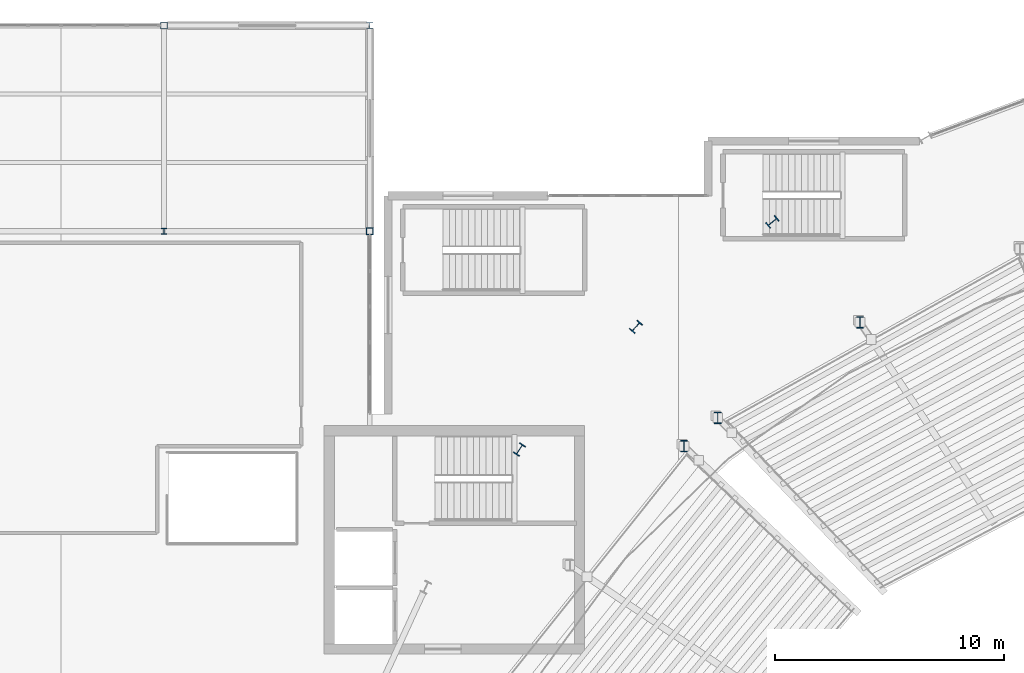
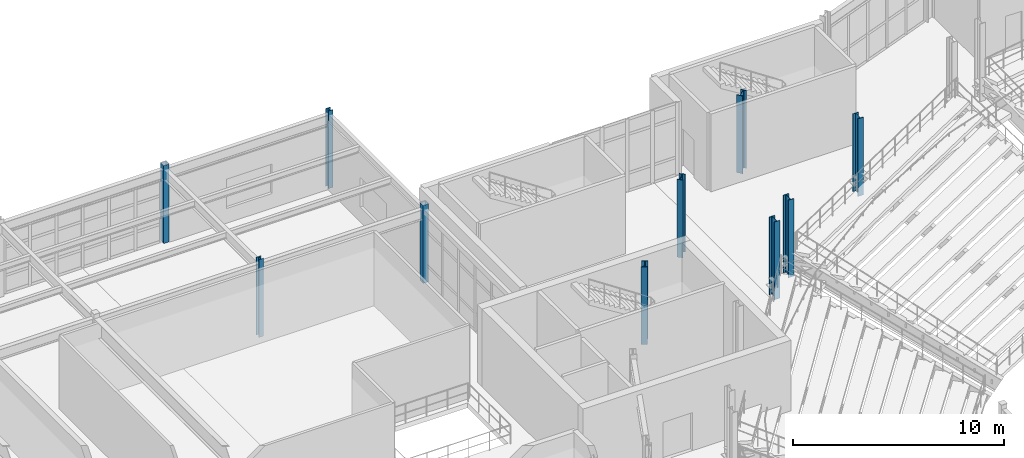
# One storey, part 11 of 81: 10 columns.
"""IFC4 building model written with IfcOpenShell, lengths in metres."""

from ifc_helpers import new_model, si_unit, direction, frame, origin, origin_2d, place, context, subcontext, project, spatial, hollow_rectangle, i_section, extrude, material, material_profile, profile_set, type_object, element, save


model = new_model("IFC4")

# Units and contexts
model_context = context("Model", 3, precision=1e-05, world=origin(), true_north=direction((0.0, 1.0)))
body_context = subcontext(model_context, "Body", "Model", "MODEL_VIEW")
ifc_project = project(units=[si_unit("LENGTHUNIT", "METRE"), si_unit("AREAUNIT", "SQUARE_METRE"), si_unit("VOLUMEUNIT", "CUBIC_METRE"), si_unit("PLANEANGLEUNIT", "RADIAN"), si_unit("MASSUNIT", "GRAM", prefix="KILO")], contexts=[model_context])

# Site, building, storey
site_placement = place(None, origin())
site = spatial("IfcSite", under=ifc_project, at=site_placement, CompositionType="ELEMENT")
building_placement = place(site_placement, origin())
building = spatial("IfcBuilding", under=site, at=building_placement, Name="Glasvene Arena", CompositionType="ELEMENT")
storey_placement = place(building_placement, frame((0.0, 0.0, 15.0)))
storey = spatial("IfcBuildingStorey", under=building, at=storey_placement, Name="L03", CompositionType="ELEMENT", Elevation=15.0)

# Columns
ifc_material = material(Name="Steel S355J2", Category="steel")
ifc_material_profile_1 = material_profile(ifc_material, i_section(OverallWidth=0.305908203125, OverallDepth=0.52392578125, WebThickness=0.02099609375, FlangeThickness=0.0400390625, FilletRadius=0.027099609375, at=origin_2d()), Name="HEM 500")
ifc_profile_set_1 = profile_set([ifc_material_profile_1], Name="Steel S355J2")
column_type_1 = type_object("IfcColumnType", Name="COL-RING-HEM500", PredefinedType="COLUMN", material=ifc_profile_set_1)
for number, where, z_axis, x_axis, name in (
    (1, (62.610595703125, 109.40576171875, 0.0), (0.0, 0.0, 1.0), (-0.628098877137, 0.778133536444, 0.0), "Bowl ring column R15 L03"),
    (2, (56.644775390625, 104.81982421875, 0.0), (0.0, 0.0, 1.0), (-0.74326159948, 0.669000892928, 0.0), "Bowl ring column R16 L03"),
    (3, (51.54931640625, 99.4501953125, 0.0), (0.0, 0.0, 1.0), (-0.836955398099, 0.547271104292, 0.0), "Bowl ring column R17 L03"),
):
    element("IfcColumn", number, at=place(storey_placement, frame(where, z_axis=z_axis, x_axis=x_axis)), inside=storey, type_object=column_type_1, Name=name, PredefinedType="COLUMN", context=body_context, shape_type="SweptSolid", body=[
        extrude(i_section(OverallWidth=0.305908203125, OverallDepth=0.52392578125, WebThickness=0.02099609375, FlangeThickness=0.0400390625, FilletRadius=0.027099609375, at=origin_2d()), origin(), (0.0, 0.0, 1.0), 4.5),
    ])
ifc_material_profile_2 = material_profile(ifc_material, i_section(OverallWidth=0.300048828125, OverallDepth=0.5, WebThickness=0.014404296875, FlangeThickness=0.028076171875, FilletRadius=0.027099609375, at=origin_2d()), Name="HEB 500")
ifc_profile_set_2 = profile_set([ifc_material_profile_2], Name="Steel S355J2")
column_type_2 = type_object("IfcColumnType", Name="COL-W-HEB500", PredefinedType="COLUMN", material=ifc_profile_set_2)
for number, where, z_axis, x_axis, name in (
    (4, (60.219482421875, 100.834228515625, 0.0), (0.0, 0.0, 1.0), (1.0, 0.0, 0.0), "Upper raker rear column L03 06-2"),
    (5, (58.743408203125, 99.59912109375, 0.0), (0.0, 0.0, 1.0), (1.0, 0.0, 0.0), "Upper raker rear column L03 07-1"),
    (6, (66.44384765625, 105.01171875, 0.0), (0.0, 0.0, 1.0), (1.0, 0.0, 0.0), "Mid-sector rear raker column L03 06"),
):
    element("IfcColumn", number, at=place(storey_placement, frame(where, z_axis=z_axis, x_axis=x_axis)), inside=storey, type_object=column_type_2, Name=name, PredefinedType="COLUMN", context=body_context, shape_type="SweptSolid", body=[
        extrude(i_section(OverallWidth=0.300048828125, OverallDepth=0.5, WebThickness=0.014404296875, FlangeThickness=0.028076171875, FilletRadius=0.027099609375, at=origin_2d()), origin(), (0.0, 0.0, 1.0), 4.5),
    ])
ifc_material_profile_3 = material_profile(ifc_material, hollow_rectangle(XDim=0.300048828125, YDim=0.300048828125, WallThickness=0.012451171875, at=origin_2d()), Name="SHS 300x300x12.5")
ifc_profile_set_3 = profile_set([ifc_material_profile_3], Name="Steel S355J2")
column_type_3 = type_object("IfcColumnType", Name="COL-W-SHS300", PredefinedType="COLUMN", material=ifc_profile_set_3)
for number, where, z_axis, x_axis, name in (
    (7, (36.0, 118.0, 0.0), (0.0, 0.0, 1.0), (1.0, 0.0, 0.0), "Grid column 5-14 L03"),
    (8, (45.0, 109.0, 0.0), (0.0, 0.0, 1.0), (1.0, 0.0, 0.0), "Grid column 6-13 L03"),
):
    element("IfcColumn", number, at=place(storey_placement, frame(where, z_axis=z_axis, x_axis=x_axis)), inside=storey, type_object=column_type_3, Name=name, PredefinedType="COLUMN", context=body_context, shape_type="SweptSolid", body=[
        extrude(hollow_rectangle(XDim=0.300048828125, YDim=0.300048828125, WallThickness=0.012451171875, at=origin_2d()), origin(), (0.0, 0.0, 1.0), 4.5),
    ])
ifc_material_profile_4 = material_profile(ifc_material, i_section(OverallWidth=0.25634765625, OverallDepth=0.26025390625, WebThickness=0.01025390625, FlangeThickness=0.017333984375, FilletRadius=0.0126953125, at=origin_2d()), Name="UKC 254x254x89")
ifc_profile_set_4 = profile_set([ifc_material_profile_4], Name="Steel S355J2")
column_type_4 = type_object("IfcColumnType", Name="COL-W-UKC89", PredefinedType="COLUMN", material=ifc_profile_set_4)
for number, where, z_axis, x_axis, name in (
    (9, (36.0, 109.0, 0.0), (0.0, 0.0, 1.0), (1.0, 0.0, 0.0), "Grid column 5-13 L03"),
    (10, (45.0, 118.0, 0.0), (0.0, 0.0, 1.0), (1.0, 0.0, 0.0), "Grid column 6-14 L03"),
):
    element("IfcColumn", number, at=place(storey_placement, frame(where, z_axis=z_axis, x_axis=x_axis)), inside=storey, type_object=column_type_4, Name=name, PredefinedType="COLUMN", context=body_context, shape_type="SweptSolid", body=[
        extrude(i_section(OverallWidth=0.25634765625, OverallDepth=0.26025390625, WebThickness=0.01025390625, FlangeThickness=0.017333984375, FilletRadius=0.0126953125, at=origin_2d()), origin(), (0.0, 0.0, 1.0), 4.5),
    ])

save(model, "model.ifc")
